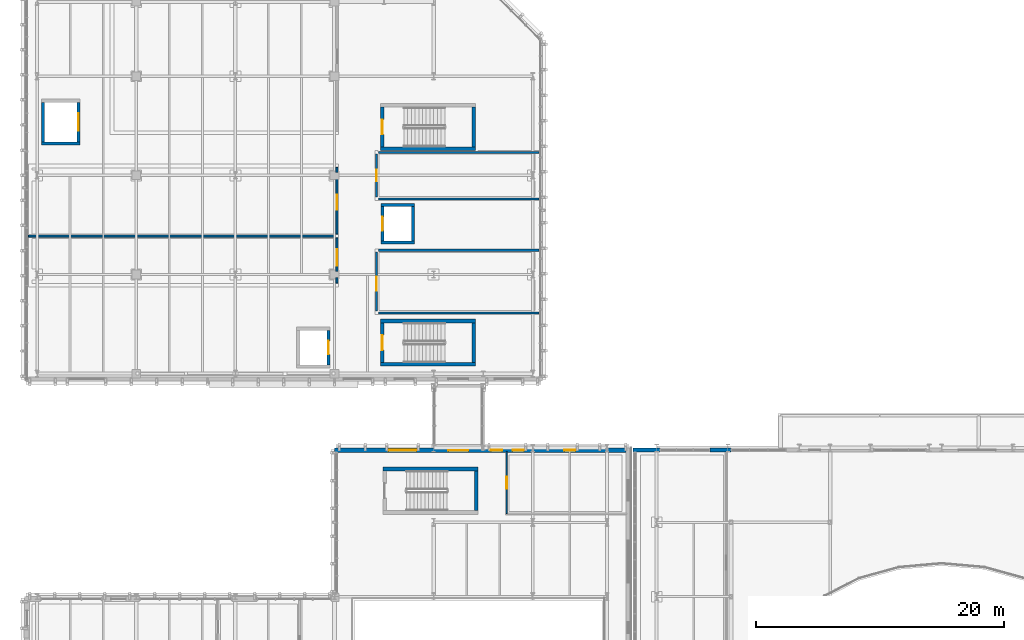
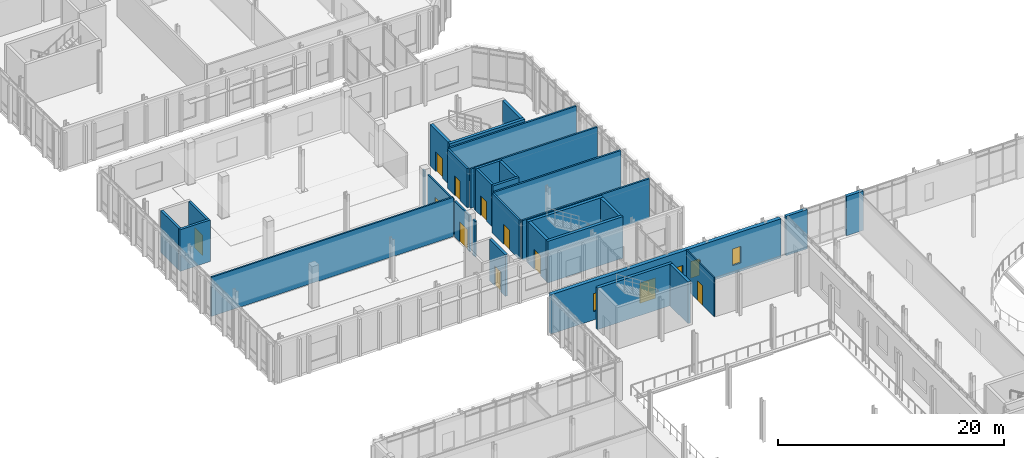
# One storey, part 67 of 100: 32 walls, 11 doors, 4 windows, 15 openings.
"""IFC4 building model written with IfcOpenShell, lengths in metres."""

from ifc_helpers import new_model, si_unit, direction, frame, frame_2d, origin, place, context, subcontext, project, spatial, rectangle, extrude, material, layer, layer_set, type_object, element, fill, save


model = new_model("IFC4")

# Units and contexts
model_context = context("Model", 3, precision=1e-05, world=origin(), true_north=direction((0.0, 1.0)))
body_context = subcontext(model_context, "Body", "Model", "MODEL_VIEW")
ifc_project = project(units=[si_unit("LENGTHUNIT", "METRE"), si_unit("AREAUNIT", "SQUARE_METRE"), si_unit("VOLUMEUNIT", "CUBIC_METRE"), si_unit("PLANEANGLEUNIT", "RADIAN"), si_unit("MASSUNIT", "GRAM", prefix="KILO")], contexts=[model_context])

# Site, building, storey
site_placement = place(None, origin())
site = spatial("IfcSite", under=ifc_project, at=site_placement, CompositionType="ELEMENT")
building_placement = place(site_placement, origin())
building = spatial("IfcBuilding", under=site, at=building_placement, Name="Cymarion Research Institute", CompositionType="ELEMENT")
storey_placement = place(building_placement, frame((0.0, 0.0, 4.800048828125)))
storey = spatial("IfcBuildingStorey", under=building, at=storey_placement, Name="L01", CompositionType="ELEMENT", Elevation=4.800048828125)

# Wall, openings, door, windows
ifc_material_1 = material(Name="Precast concrete C40/50", Category="concrete")
ifc_layer_1 = layer(ifc_material_1, 0.3798828125)
ifc_layer_set_1 = layer_set([ifc_layer_1], Name="Precast concrete C40/50")
wall_type_1 = type_object("IfcWallType", Name="EXTERIOR WALL EW-PC380 380MM", PredefinedType="SOLIDWALL", material=ifc_layer_set_1)
wall_1_placement = place(storey_placement, frame((54.137939453125, 41.31005859375, 0.0), z_axis=(0.0, 0.0, 1.0), x_axis=(-1.0, 0.0, 0.0)))
wall_1 = element("IfcWall", 1, at=wall_1_placement, inside=storey, type_object=wall_type_1, Name="L01 V3 exterior wall EW-PC380 #104", PredefinedType="SOLIDWALL", context=body_context, shape_type="SweptSolid", body=[
    extrude(rectangle(XDim=23.537841796875, YDim=0.3798828125, at=frame_2d((11.76904296875, 0.0))), origin(), (0.0, 0.0, 1.0), 4.25),
])
opening_1_placement = place(wall_1_placement, frame((12.738037109375, 0.0, 0.0)))
opening_1 = element("IfcOpeningElement", 2, at=opening_1_placement, cuts=wall_1, Name="Opening D-SP1-L01-S", PredefinedType="OPENING", context=body_context, shape_type="SweptSolid", body=[
    extrude(rectangle(XDim=1.60009765625, YDim=2.199951171875, at=frame_2d((0.800048828125, 1.10009765625))), frame((0.0, 0.199951171875, 0.0), z_axis=(0.0, -1.0, 0.0), x_axis=(1.0, 0.0, 0.0)), (0.0, 0.0, 1.0), 0.39990234375),
])
opening_2_placement = place(wall_1_placement, frame((4.087890625, 0.0, 0.89990234375)))
opening_2 = element("IfcOpeningElement", 3, at=opening_2_placement, cuts=wall_1, Name="Opening W24", PredefinedType="OPENING", context=body_context, shape_type="SweptSolid", body=[
    extrude(rectangle(XDim=0.89990234375, YDim=1.800048828125, at=frame_2d((0.449951171875, 0.89990234375))), frame((0.0, 0.199951171875, 0.0), z_axis=(0.0, -1.0, 0.0), x_axis=(1.0, 0.0, 0.0)), (0.0, 0.0, 1.0), 0.39990234375),
])
opening_3_placement = place(wall_1_placement, frame((8.258056640625, 0.0, 0.89990234375)))
opening_3 = element("IfcOpeningElement", 4, at=opening_3_placement, cuts=wall_1, Name="Opening W24", PredefinedType="OPENING", context=body_context, shape_type="SweptSolid", body=[
    extrude(rectangle(XDim=0.89990234375, YDim=1.800048828125, at=frame_2d((0.449951171875, 0.89990234375))), frame((0.0, 0.199951171875, 0.0), z_axis=(0.0, -1.0, 0.0), x_axis=(1.0, 0.0, 0.0)), (0.0, 0.0, 1.0), 0.39990234375),
])
opening_4_placement = place(wall_1_placement, frame((10.01806640625, 0.0, 0.89990234375)))
opening_4 = element("IfcOpeningElement", 5, at=opening_4_placement, cuts=wall_1, Name="Opening W24", PredefinedType="OPENING", context=body_context, shape_type="SweptSolid", body=[
    extrude(rectangle(XDim=0.89990234375, YDim=1.800048828125, at=frame_2d((0.449951171875, 0.89990234375))), frame((0.0, 0.199951171875, 0.0), z_axis=(0.0, -1.0, 0.0), x_axis=(1.0, 0.0, 0.0)), (0.0, 0.0, 1.0), 0.39990234375),
])
opening_5_placement = place(wall_1_placement, frame((16.93310546875, 0.0, 0.89990234375)))
opening_5 = element("IfcOpeningElement", 6, at=opening_5_placement, cuts=wall_1, Name="Opening W30", PredefinedType="OPENING", context=body_context, shape_type="SweptSolid", body=[
    extrude(rectangle(XDim=2.25, YDim=1.949951171875, at=frame_2d((1.125, 0.97509765625))), frame((0.0, 0.199951171875, 0.0), z_axis=(0.0, -1.0, 0.0), x_axis=(1.0, 0.0, 0.0)), (0.0, 0.0, 1.0), 0.39990234375),
])
ifc_material_2 = material(Name="Thermally broken anodised aluminium glazed door", Category="aluminium")
door_type_1 = type_object("IfcDoorType", Name="GLAZED ALUMINIUM TERRACE ACCESS DOOR DT-TR160 1600X2200", OperationType="NOTDEFINED", PredefinedType="DOOR", material=ifc_material_2)
door_1_placement = place(opening_1_placement, frame((1.60009765625, 0.0, 0.0), z_axis=(0.0, 0.0, 1.0), x_axis=(-1.0, 0.0, 0.0)))
door_1 = element("IfcDoor", 7, at=door_1_placement, inside=storey, type_object=door_type_1, Name="L01 V3 Sky-Passage Portal Door D-SP1-L01-S", OperationType="SINGLE_SWING_RIGHT", OverallHeight=2.199951171875, OverallWidth=1.60009765625, PredefinedType="DOOR", context=body_context, shape_type="SweptSolid", body=[
    extrude(rectangle(XDim=1.60009765625, YDim=2.199951171875, at=frame_2d((0.800048828125, 1.10009765625))), frame((0.0, 0.02490234375, 0.0), z_axis=(0.0, -1.0, 0.0), x_axis=(1.0, 0.0, 0.0)), (0.0, 0.0, 1.0), 0.050048828125),
])
fill(opening_1, door_1)
ifc_material_3 = material(Name="Thermally broken aluminium window with Low-E glazing", Category="aluminium")
window_type_1 = type_object("IfcWindowType", Name="THERMALLY BROKEN ALUMINIUM WINDOW W24 900X1800", PartitioningType="SINGLE_PANEL", PredefinedType="WINDOW", material=ifc_material_3)
window_1_placement = place(opening_2_placement, origin())
window_1 = element("IfcWindow", 8, at=window_1_placement, inside=storey, type_object=window_type_1, Name="L01 V3 facade window W24 #190", OverallHeight=1.800048828125, OverallWidth=0.89990234375, PartitioningType="SINGLE_PANEL", PredefinedType="WINDOW", context=body_context, shape_type="SweptSolid", body=[
    extrude(rectangle(XDim=0.89990234375, YDim=1.800048828125, at=frame_2d((0.449951171875, 0.89990234375))), frame((0.0, 0.030029296875, 0.0), z_axis=(0.0, -1.0, 0.0), x_axis=(1.0, 0.0, 0.0)), (0.0, 0.0, 1.0), 0.06005859375),
])
fill(opening_2, window_1)
window_2_placement = place(opening_3_placement, origin())
window_2 = element("IfcWindow", 9, at=window_2_placement, inside=storey, type_object=window_type_1, Name="L01 V3 facade window W24 #191", OverallHeight=1.800048828125, OverallWidth=0.89990234375, PartitioningType="SINGLE_PANEL", PredefinedType="WINDOW", context=body_context, shape_type="SweptSolid", body=[
    extrude(rectangle(XDim=0.89990234375, YDim=1.800048828125, at=frame_2d((0.449951171875, 0.89990234375))), frame((0.0, 0.030029296875, 0.0), z_axis=(0.0, -1.0, 0.0), x_axis=(1.0, 0.0, 0.0)), (0.0, 0.0, 1.0), 0.06005859375),
])
fill(opening_3, window_2)
window_3_placement = place(opening_4_placement, origin())
window_3 = element("IfcWindow", 10, at=window_3_placement, inside=storey, type_object=window_type_1, Name="L01 V3 facade window W24 #192", OverallHeight=1.800048828125, OverallWidth=0.89990234375, PartitioningType="SINGLE_PANEL", PredefinedType="WINDOW", context=body_context, shape_type="SweptSolid", body=[
    extrude(rectangle(XDim=0.89990234375, YDim=1.800048828125, at=frame_2d((0.449951171875, 0.89990234375))), frame((0.0, 0.030029296875, 0.0), z_axis=(0.0, -1.0, 0.0), x_axis=(1.0, 0.0, 0.0)), (0.0, 0.0, 1.0), 0.06005859375),
])
fill(opening_4, window_3)
window_type_2 = type_object("IfcWindowType", Name="THERMALLY BROKEN ALUMINIUM WINDOW W30 2250X1950", PartitioningType="DOUBLE_PANEL_VERTICAL", PredefinedType="WINDOW", material=ifc_material_3)
window_4_placement = place(opening_5_placement, origin())
window_4 = element("IfcWindow", 11, at=window_4_placement, inside=storey, type_object=window_type_2, Name="L01 V3 facade window W30 #193", OverallHeight=1.949951171875, OverallWidth=2.25, PartitioningType="SINGLE_PANEL", PredefinedType="WINDOW", context=body_context, shape_type="SweptSolid", body=[
    extrude(rectangle(XDim=2.25, YDim=1.949951171875, at=frame_2d((1.125, 0.97509765625))), frame((0.0, 0.030029296875, 0.0), z_axis=(0.0, -1.0, 0.0), x_axis=(1.0, 0.0, 0.0)), (0.0, 0.0, 1.0), 0.06005859375),
])
fill(opening_5, window_4)

# Walls
ifc_material_4 = material(Name="Concrete C40/50", Category="concrete")
ifc_layer_2 = layer(ifc_material_4, 0.320068359375)
ifc_layer_set_2 = layer_set([ifc_layer_2], Name="Concrete C40/50")
wall_type_2 = type_object("IfcWallType", Name="EXTERIOR WALL EW-RC320 320MM", PredefinedType="SHEAR", material=ifc_layer_set_2)
wall_2_placement = place(storey_placement, frame((62.610107421875, 41.340087890625, 0.0), z_axis=(0.0, 0.0, 1.0), x_axis=(-1.0, 0.0, 0.0)))
element("IfcWall", 12, at=wall_2_placement, inside=storey, type_object=wall_type_2, Name="L01 V2 facade pier wall EW-RC320 #100", PredefinedType="SHEAR", context=body_context, shape_type="SweptSolid", body=[
    extrude(rectangle(XDim=1.722900390625, YDim=0.320068359375, at=frame_2d((0.861328125, 0.0))), origin(), (0.0, 0.0, 1.0), 4.25),
])
wall_3_placement = place(storey_placement, frame((56.860107421875, 41.340087890625, 0.0), z_axis=(0.0, 0.0, 1.0), x_axis=(-1.0, 0.0, 0.0)))
element("IfcWall", 13, at=wall_3_placement, inside=storey, type_object=wall_type_2, Name="L01 V2 facade pier wall EW-RC320 #101", PredefinedType="SHEAR", context=body_context, shape_type="SweptSolid", body=[
    extrude(rectangle(XDim=2.16015625, YDim=0.320068359375, at=frame_2d((1.080078125, 0.0))), origin(), (0.0, 0.0, 1.0), 4.25),
])
ifc_material_5 = material(Name="ISO cleanroom modular flush panel wall", Category="metal")
ifc_layer_3 = layer(ifc_material_5, 0.159912109375)
ifc_layer_set_3 = layer_set([ifc_layer_3], Name="ISO cleanroom modular flush panel wall")
wall_type_3 = type_object("IfcWallType", Name="INTERIOR PARTITION IW-CL160 160MM", PredefinedType="PARTITIONING", material=ifc_layer_set_3)
wall_4_placement = place(storey_placement, frame((5.885009765625, 58.60009765625, 0.0), z_axis=(0.0, 0.0, 1.0), x_axis=(1.0, 0.0, 0.0)))
element("IfcWall", 14, at=wall_4_placement, inside=storey, type_object=wall_type_3, Name="L01 V4 interior partition IW-CL160 #133", PredefinedType="PARTITIONING", context=body_context, shape_type="SweptSolid", body=[
    extrude(rectangle(XDim=24.764892578125, YDim=0.159912109375, at=frame_2d((12.38232421875, 0.0))), origin(), (0.0, 0.0, 1.0), 4.25),
])
wall_5_placement = place(storey_placement, frame((30.800048828125, 54.800048828125, 0.0), z_axis=(0.0, 0.0, 1.0), x_axis=(0.0, 1.0, 0.0)))
element("IfcWall", 15, at=wall_5_placement, inside=storey, type_object=wall_type_3, Name="L01 V4 interior partition IW-CL160 #134", PredefinedType="PARTITIONING", context=body_context, shape_type="SweptSolid", body=[
    extrude(rectangle(XDim=0.449951171875, YDim=0.159912109375, at=frame_2d((0.22509765625, 0.0))), origin(), (0.0, 0.0, 1.0), 3.849853515625),
])

# Wall, opening, door
wall_6_placement = place(storey_placement, frame((30.800048828125, 55.75, 0.0), z_axis=(0.0, 0.0, 1.0), x_axis=(0.0, 1.0, 0.0)))
wall_6 = element("IfcWall", 16, at=wall_6_placement, inside=storey, type_object=wall_type_3, Name="L01 V4 interior partition IW-CL160 #135", PredefinedType="PARTITIONING", context=body_context, shape_type="SweptSolid", body=[
    extrude(rectangle(XDim=2.699951171875, YDim=0.159912109375, at=frame_2d((1.35009765625, 0.0))), origin(), (0.0, 0.0, 1.0), 3.849853515625),
])
opening_6_placement = place(wall_6_placement, frame((0.43798828125, 0.0, 0.0)))
opening_6 = element("IfcOpeningElement", 17, at=opening_6_placement, cuts=wall_6, Name="Opening D-L01-094", PredefinedType="OPENING", context=body_context, shape_type="SweptSolid", body=[
    extrude(rectangle(XDim=1.35009765625, YDim=2.14990234375, at=frame_2d((0.675048828125, 1.074951171875))), frame((0.0, 0.08984375, 0.0), z_axis=(0.0, -1.0, 0.0), x_axis=(1.0, 0.0, 0.0)), (0.0, 0.0, 1.0), 0.179931640625),
])
ifc_material_6 = material(Name="Flush acoustic timber/steel door assembly", Category="steel")
door_type_2 = type_object("IfcDoorType", Name="CLEANROOM GOWNING DOOR DT-CL135 1350X2150", OperationType="NOTDEFINED", PredefinedType="DOOR", material=ifc_material_6)
door_2_placement = place(opening_6_placement, frame((1.35009765625, 0.0, 0.0), z_axis=(0.0, 0.0, 1.0), x_axis=(-1.0, 0.0, 0.0)))
door_2 = element("IfcDoor", 18, at=door_2_placement, inside=storey, type_object=door_type_2, Name="L01 Gowning Airlock door D-L01-094", OperationType="SINGLE_SWING_LEFT", OverallHeight=2.14990234375, OverallWidth=1.35009765625, PredefinedType="DOOR", context=body_context, shape_type="SweptSolid", body=[
    extrude(rectangle(XDim=1.35009765625, YDim=2.14990234375, at=frame_2d((0.675048828125, 1.074951171875))), frame((0.0, 0.02490234375, 0.0), z_axis=(0.0, -1.0, 0.0), x_axis=(1.0, 0.0, 0.0)), (0.0, 0.0, 1.0), 0.050048828125),
])
fill(opening_6, door_2)

wall_7_placement = place(storey_placement, frame((30.800048828125, 58.75, 0.0), z_axis=(0.0, 0.0, 1.0), x_axis=(0.0, 1.0, 0.0)))
wall_7 = element("IfcWall", 19, at=wall_7_placement, inside=storey, type_object=wall_type_3, Name="L01 V4 interior partition IW-CL160 #136", PredefinedType="PARTITIONING", context=body_context, shape_type="SweptSolid", body=[
    extrude(rectangle(XDim=4.5, YDim=0.159912109375, at=frame_2d((2.25, 0.0))), origin(), (0.0, 0.0, 1.0), 3.849853515625),
])
opening_7_placement = place(wall_7_placement, frame((1.97998046875, 0.0, 0.0)))
opening_7 = element("IfcOpeningElement", 20, at=opening_7_placement, cuts=wall_7, Name="Opening D-L01-095", PredefinedType="OPENING", context=body_context, shape_type="SweptSolid", body=[
    extrude(rectangle(XDim=1.199951171875, YDim=2.14990234375, at=frame_2d((0.60009765625, 1.074951171875))), frame((0.0, 0.08984375, 0.0), z_axis=(0.0, -1.0, 0.0), x_axis=(1.0, 0.0, 0.0)), (0.0, 0.0, 1.0), 0.179931640625),
])
door_type_3 = type_object("IfcDoorType", Name="CLEANROOM AIRLOCK INTERLOCK DOOR DT-CL120 1200X2150", OperationType="NOTDEFINED", PredefinedType="DOOR", material=ifc_material_6)
door_3_placement = place(opening_7_placement, origin())
door_3 = element("IfcDoor", 21, at=door_3_placement, inside=storey, type_object=door_type_3, Name="L01 Cleanroom Bay door D-L01-095", OperationType="SINGLE_SWING_RIGHT", OverallHeight=2.14990234375, OverallWidth=1.199951171875, PredefinedType="DOOR", context=body_context, shape_type="SweptSolid", body=[
    extrude(rectangle(XDim=1.199951171875, YDim=2.14990234375, at=frame_2d((0.60009765625, 1.074951171875))), frame((0.0, 0.02490234375, 0.0), z_axis=(0.0, -1.0, 0.0), x_axis=(1.0, 0.0, 0.0)), (0.0, 0.0, 1.0), 0.050048828125),
])
fill(opening_7, door_3)

# Wall
wall_8_placement = place(storey_placement, frame((30.800048828125, 63.75, 0.0), z_axis=(0.0, 0.0, 1.0), x_axis=(0.0, 1.0, 0.0)))
element("IfcWall", 22, at=wall_8_placement, inside=storey, type_object=wall_type_3, Name="L01 V4 interior partition IW-CL160 #137", PredefinedType="PARTITIONING", context=body_context, shape_type="SweptSolid", body=[
    extrude(rectangle(XDim=0.39990234375, YDim=0.159912109375, at=frame_2d((0.199951171875, 0.0))), origin(), (0.0, 0.0, 1.0), 3.849853515625),
])

# Wall, opening, door
ifc_material_7 = material(Name="Framed acoustic glass laboratory screen", Category="glass")
ifc_layer_4 = layer(ifc_material_7, 0.10009765625)
ifc_layer_set_4 = layer_set([ifc_layer_4], Name="Framed acoustic glass laboratory screen")
wall_type_4 = type_object("IfcWallType", Name="INTERIOR PARTITION IW-GL100 100MM", PredefinedType="PARTITIONING", material=ifc_layer_set_4)
wall_9_placement = place(storey_placement, frame((44.5, 36.199951171875, 0.0), z_axis=(0.0, 0.0, 1.0), x_axis=(0.0, 1.0, 0.0)))
wall_9 = element("IfcWall", 23, at=wall_9_placement, inside=storey, type_object=wall_type_4, Name="L01 V3 interior partition IW-GL100 #132", PredefinedType="PARTITIONING", context=body_context, shape_type="SweptSolid", body=[
    extrude(rectangle(XDim=4.9951171875, YDim=0.10009765625, at=frame_2d((2.49755859375, 0.0))), origin(), (0.0, 0.0, 1.0), 4.25),
])
opening_8_placement = place(wall_9_placement, frame((2.02294921875, 0.0, 0.0)))
opening_8 = element("IfcOpeningElement", 24, at=opening_8_placement, cuts=wall_9, Name="Opening D-L01-093", PredefinedType="OPENING", context=body_context, shape_type="SweptSolid", body=[
    extrude(rectangle(XDim=0.949951171875, YDim=2.10009765625, at=frame_2d((0.47509765625, 1.050048828125))), frame((0.0, 0.06005859375, 0.0), z_axis=(0.0, -1.0, 0.0), x_axis=(1.0, 0.0, 0.0)), (0.0, 0.0, 1.0), 0.1201171875),
])
door_type_4 = type_object("IfcDoorType", Name="FACULTY STUDY DOOR DT-OF095 950X2100", OperationType="NOTDEFINED", PredefinedType="DOOR", material=ifc_material_6)
door_4_placement = place(opening_8_placement, origin())
door_4 = element("IfcDoor", 25, at=door_4_placement, inside=storey, type_object=door_type_4, Name="L01 AV Booth door D-L01-093", OperationType="SINGLE_SWING_RIGHT", OverallHeight=2.10009765625, OverallWidth=0.949951171875, PredefinedType="DOOR", context=body_context, shape_type="SweptSolid", body=[
    extrude(rectangle(XDim=0.949951171875, YDim=2.10009765625, at=frame_2d((0.47509765625, 1.050048828125))), frame((0.0, 0.02490234375, 0.0), z_axis=(0.0, -1.0, 0.0), x_axis=(1.0, 0.0, 0.0)), (0.0, 0.0, 1.0), 0.050048828125),
])
fill(opening_8, door_4)

# Walls
ifc_material_8 = material(Name="Moisture-resistant laboratory partition", Category="gypsum")
ifc_layer_5 = layer(ifc_material_8, 0.179931640625)
ifc_layer_set_5 = layer_set([ifc_layer_5], Name="Moisture-resistant laboratory partition")
wall_type_5 = type_object("IfcWallType", Name="INTERIOR PARTITION IW-LB180 180MM", PredefinedType="PARTITIONING", material=ifc_layer_set_5)
for number, where, z_axis, x_axis, name in (
    (26, (34.14990234375, 52.39990234375, 0.0), (0.0, 0.0, 1.0), (1.0, 0.0, 0.0), "L01 V4 interior partition IW-LB180 #140"),
    (27, (34.14990234375, 57.449951171875, 0.0), (0.0, 0.0, 1.0), (1.0, 0.0, 0.0), "L01 V4 interior partition IW-LB180 #141"),
    (28, (34.14990234375, 61.60009765625, 0.0), (0.0, 0.0, 1.0), (1.0, 0.0, 0.0), "L01 V4 interior partition IW-LB180 #142"),
    (29, (34.14990234375, 65.35009765625, 0.0), (0.0, 0.0, 1.0), (1.0, 0.0, 0.0), "L01 V4 interior partition IW-LB180 #143"),
):
    element("IfcWall", number, at=place(storey_placement, frame(where, z_axis=z_axis, x_axis=x_axis)), inside=storey, type_object=wall_type_5, Name=name, PredefinedType="PARTITIONING", context=body_context, shape_type="SweptSolid", body=[
        extrude(rectangle(XDim=12.965087890625, YDim=0.179931640625, at=frame_2d((6.482421875, 0.0))), origin(), (0.0, 0.0, 1.0), 4.25),
    ])

# Wall, opening, door
wall_10_placement = place(storey_placement, frame((34.0, 52.550048828125, 0.0), z_axis=(0.0, 0.0, 1.0), x_axis=(0.0, 1.0, 0.0)))
wall_10 = element("IfcWall", 30, at=wall_10_placement, inside=storey, type_object=wall_type_5, Name="L01 V4 interior partition IW-LB180 #144", PredefinedType="PARTITIONING", context=body_context, shape_type="SweptSolid", body=[
    extrude(rectangle(XDim=4.77001953125, YDim=0.179931640625, at=frame_2d((2.385009765625, 0.0))), origin(), (0.0, 0.0, 1.0), 4.25),
])
opening_9_placement = place(wall_10_placement, frame((1.652099609375, 0.0, 0.0)))
opening_9 = element("IfcOpeningElement", 31, at=opening_9_placement, cuts=wall_10, Name="Opening D-L01-097", PredefinedType="OPENING", context=body_context, shape_type="SweptSolid", body=[
    extrude(rectangle(XDim=1.10009765625, YDim=2.14990234375, at=frame_2d((0.550048828125, 1.074951171875))), frame((0.0, 0.099853515625, 0.0), z_axis=(0.0, -1.0, 0.0), x_axis=(1.0, 0.0, 0.0)), (0.0, 0.0, 1.0), 0.199951171875),
])
door_type_5 = type_object("IfcDoorType", Name="LABORATORY WIDE SINGLE DOOR DT-LB110 1100X2150", OperationType="NOTDEFINED", PredefinedType="DOOR", material=ifc_material_6)
door_5_placement = place(opening_9_placement, origin())
door_5 = element("IfcDoor", 32, at=door_5_placement, inside=storey, type_object=door_type_5, Name="L01 East Lab Entry door D-L01-097", OperationType="SINGLE_SWING_RIGHT", OverallHeight=2.14990234375, OverallWidth=1.10009765625, PredefinedType="DOOR", context=body_context, shape_type="SweptSolid", body=[
    extrude(rectangle(XDim=1.10009765625, YDim=2.14990234375, at=frame_2d((0.550048828125, 1.074951171875))), frame((0.0, 0.02490234375, 0.0), z_axis=(0.0, -1.0, 0.0), x_axis=(1.0, 0.0, 0.0)), (0.0, 0.0, 1.0), 0.050048828125),
])
fill(opening_9, door_5)

wall_11_placement = place(storey_placement, frame((34.0, 61.75, 0.0), z_axis=(0.0, 0.0, 1.0), x_axis=(0.0, 1.0, 0.0)))
wall_11 = element("IfcWall", 33, at=wall_11_placement, inside=storey, type_object=wall_type_5, Name="L01 V4 interior partition IW-LB180 #145", PredefinedType="PARTITIONING", context=body_context, shape_type="SweptSolid", body=[
    extrude(rectangle(XDim=3.469970703125, YDim=0.179931640625, at=frame_2d((1.73486328125, 0.0))), origin(), (0.0, 0.0, 1.0), 4.25),
])
opening_10_placement = place(wall_11_placement, frame((1.284912109375, 0.0, 0.0)))
opening_10 = element("IfcOpeningElement", 34, at=opening_10_placement, cuts=wall_11, Name="Opening D-L01-098", PredefinedType="OPENING", context=body_context, shape_type="SweptSolid", body=[
    extrude(rectangle(XDim=0.89990234375, YDim=2.10009765625, at=frame_2d((0.449951171875, 1.050048828125))), frame((0.0, 0.099853515625, 0.0), z_axis=(0.0, -1.0, 0.0), x_axis=(1.0, 0.0, 0.0)), (0.0, 0.0, 1.0), 0.199951171875),
])
door_type_6 = type_object("IfcDoorType", Name="ACCESSIBLE RESTROOM DOOR DT-WC090 900X2100", OperationType="NOTDEFINED", PredefinedType="DOOR", material=ifc_material_6)
door_6_placement = place(opening_10_placement, origin())
door_6 = element("IfcDoor", 35, at=door_6_placement, inside=storey, type_object=door_type_6, Name="L01 East WC Entry door D-L01-098", OperationType="SINGLE_SWING_LEFT", OverallHeight=2.10009765625, OverallWidth=0.89990234375, PredefinedType="DOOR", context=body_context, shape_type="SweptSolid", body=[
    extrude(rectangle(XDim=0.89990234375, YDim=2.10009765625, at=frame_2d((0.449951171875, 1.050048828125))), frame((0.0, 0.02490234375, 0.0), z_axis=(0.0, -1.0, 0.0), x_axis=(1.0, 0.0, 0.0)), (0.0, 0.0, 1.0), 0.050048828125),
])
fill(opening_10, door_6)

ifc_layer_6 = layer(ifc_material_4, 0.25)
ifc_layer_set_6 = layer_set([ifc_layer_6], Name="Concrete C40/50")
wall_type_6 = type_object("IfcWallType", Name="REINFORCED CONCRETE CORE WALL CW-SH250 250MM", PredefinedType="SHEAR", material=ifc_layer_set_6)
wall_12_placement = place(storey_placement, frame((30.125, 48.199951171875, 0.0), z_axis=(0.0, 0.0, 1.0), x_axis=(0.0, 1.0, 0.0)))
wall_12 = element("IfcWall", 36, at=wall_12_placement, inside=storey, type_object=wall_type_6, Name="L01 LSH-LP1-L01 east core wall", PredefinedType="SHEAR", context=body_context, shape_type="SweptSolid", body=[
    extrude(rectangle(XDim=2.800048828125, YDim=0.25, at=frame_2d((1.39990234375, 0.0))), origin(), (0.0, 0.0, 1.0), 4.5),
])
opening_11_placement = place(wall_12_placement, frame((0.85009765625, 0.0, 0.0)))
opening_11 = element("IfcOpeningElement", 37, at=opening_11_placement, cuts=wall_12, Name="Opening LD-LP1-L01", PredefinedType="OPENING", context=body_context, shape_type="SweptSolid", body=[
    extrude(rectangle(XDim=1.10009765625, YDim=2.14990234375, at=frame_2d((0.550048828125, 1.074951171875))), frame((0.0, 0.135009765625, 0.0), z_axis=(0.0, -1.0, 0.0), x_axis=(1.0, 0.0, 0.0)), (0.0, 0.0, 1.0), 0.27001953125),
])
ifc_material_9 = material(Name="Fire-rated insulated steel door assembly", Category="steel")
door_type_7 = type_object("IfcDoorType", Name="SLIDING LIFT LANDING DOOR DT-LD110 1100X2150", OperationType="DOUBLE_DOOR_SLIDING", PredefinedType="DOOR", material=ifc_material_9)
door_7_placement = place(opening_11_placement, origin())
door_7 = element("IfcDoor", 38, at=door_7_placement, inside=storey, type_object=door_type_7, Name="Lift LP1 landing door L01", OperationType="DOUBLE_DOOR_SLIDING", OverallHeight=2.14990234375, OverallWidth=1.10009765625, PredefinedType="DOOR", context=body_context, shape_type="SweptSolid", body=[
    extrude(rectangle(XDim=1.10009765625, YDim=2.14990234375, at=frame_2d((0.550048828125, 1.074951171875))), frame((0.0, 0.02490234375, 0.0), z_axis=(0.0, -1.0, 0.0), x_axis=(1.0, 0.0, 0.0)), (0.0, 0.0, 1.0), 0.050048828125),
])
fill(opening_11, door_7)

# Walls
for number, where, z_axis, x_axis, name in (
    (39, (34.35009765625, 58.074951171875, 0.0), (0.0, 0.0, 1.0), (1.0, 0.0, 0.0), "L01 LSH-LP4-L01 south core wall"),
    (40, (37.050048828125, 61.125, 0.0), (0.0, 0.0, 1.0), (-1.0, 0.0, 0.0), "L01 LSH-LP4-L01 north core wall"),
):
    element("IfcWall", number, at=place(storey_placement, frame(where, z_axis=z_axis, x_axis=x_axis)), inside=storey, type_object=wall_type_6, Name=name, PredefinedType="SHEAR", context=body_context, shape_type="SweptSolid", body=[
        extrude(rectangle(XDim=2.699951171875, YDim=0.25, at=frame_2d((1.35009765625, 0.0))), origin(), (0.0, 0.0, 1.0), 4.5),
    ])

# Wall, opening, door
wall_13_placement = place(storey_placement, frame((34.47509765625, 61.0, 0.0), z_axis=(0.0, 0.0, 1.0), x_axis=(0.0, -1.0, 0.0)))
wall_13 = element("IfcWall", 41, at=wall_13_placement, inside=storey, type_object=wall_type_6, Name="L01 LSH-LP4-L01 west core wall", PredefinedType="SHEAR", context=body_context, shape_type="SweptSolid", body=[
    extrude(rectangle(XDim=2.800048828125, YDim=0.25, at=frame_2d((1.39990234375, 0.0))), origin(), (0.0, 0.0, 1.0), 4.5),
])
opening_12_placement = place(wall_13_placement, frame((0.85009765625, 0.0, 0.0)))
opening_12 = element("IfcOpeningElement", 42, at=opening_12_placement, cuts=wall_13, Name="Opening LD-LP4-L01", PredefinedType="OPENING", context=body_context, shape_type="SweptSolid", body=[
    extrude(rectangle(XDim=1.10009765625, YDim=2.14990234375, at=frame_2d((0.550048828125, 1.074951171875))), frame((0.0, 0.135009765625, 0.0), z_axis=(0.0, -1.0, 0.0), x_axis=(1.0, 0.0, 0.0)), (0.0, 0.0, 1.0), 0.27001953125),
])
door_8_placement = place(opening_12_placement, origin())
door_8 = element("IfcDoor", 43, at=door_8_placement, inside=storey, type_object=door_type_7, Name="Lift LP4 landing door L01", OperationType="DOUBLE_DOOR_SLIDING", OverallHeight=2.14990234375, OverallWidth=1.10009765625, PredefinedType="DOOR", context=body_context, shape_type="SweptSolid", body=[
    extrude(rectangle(XDim=1.10009765625, YDim=2.14990234375, at=frame_2d((0.550048828125, 1.074951171875))), frame((0.0, 0.02490234375, 0.0), z_axis=(0.0, -1.0, 0.0), x_axis=(1.0, 0.0, 0.0)), (0.0, 0.0, 1.0), 0.050048828125),
])
fill(opening_12, door_8)

# Walls
wall_14_placement = place(storey_placement, frame((36.925048828125, 58.199951171875, 0.0), z_axis=(0.0, 0.0, 1.0), x_axis=(0.0, 1.0, 0.0)))
element("IfcWall", 44, at=wall_14_placement, inside=storey, type_object=wall_type_6, Name="L01 LSH-LP4-L01 east core wall", PredefinedType="SHEAR", context=body_context, shape_type="SweptSolid", body=[
    extrude(rectangle(XDim=2.800048828125, YDim=0.25, at=frame_2d((1.39990234375, 0.0))), origin(), (0.0, 0.0, 1.0), 4.5),
])
wall_15_placement = place(storey_placement, frame((6.949951171875, 66.074951171875, 0.0), z_axis=(0.0, 0.0, 1.0), x_axis=(1.0, 0.0, 0.0)))
element("IfcWall", 45, at=wall_15_placement, inside=storey, type_object=wall_type_6, Name="L01 LSH-LG1-L01 south core wall", PredefinedType="SHEAR", context=body_context, shape_type="SweptSolid", body=[
    extrude(rectangle(XDim=3.10009765625, YDim=0.25, at=frame_2d((1.550048828125, 0.0))), origin(), (0.0, 0.0, 1.0), 4.5),
])
wall_16_placement = place(storey_placement, frame((7.074951171875, 69.39990234375, 0.0), z_axis=(0.0, 0.0, 1.0), x_axis=(0.0, -1.0, 0.0)))
element("IfcWall", 46, at=wall_16_placement, inside=storey, type_object=wall_type_6, Name="L01 LSH-LG1-L01 west core wall", PredefinedType="SHEAR", context=body_context, shape_type="SweptSolid", body=[
    extrude(rectangle(XDim=3.199951171875, YDim=0.25, at=frame_2d((1.60009765625, 0.0))), origin(), (0.0, 0.0, 1.0), 4.5),
])

# Wall, opening, door
wall_17_placement = place(storey_placement, frame((9.925048828125, 66.199951171875, 0.0), z_axis=(0.0, 0.0, 1.0), x_axis=(0.0, 1.0, 0.0)))
wall_17 = element("IfcWall", 47, at=wall_17_placement, inside=storey, type_object=wall_type_6, Name="L01 LSH-LG1-L01 east core wall", PredefinedType="SHEAR", context=body_context, shape_type="SweptSolid", body=[
    extrude(rectangle(XDim=3.199951171875, YDim=0.25, at=frame_2d((1.60009765625, 0.0))), origin(), (0.0, 0.0, 1.0), 4.5),
])
opening_13_placement = place(wall_17_placement, frame((0.89990234375, 0.0, 0.0)))
opening_13 = element("IfcOpeningElement", 48, at=opening_13_placement, cuts=wall_17, Name="Opening LD-LG1-L01", PredefinedType="OPENING", context=body_context, shape_type="SweptSolid", body=[
    extrude(rectangle(XDim=1.39990234375, YDim=2.199951171875, at=frame_2d((0.699951171875, 1.10009765625))), frame((0.0, 0.135009765625, 0.0), z_axis=(0.0, -1.0, 0.0), x_axis=(1.0, 0.0, 0.0)), (0.0, 0.0, 1.0), 0.27001953125),
])
door_type_8 = type_object("IfcDoorType", Name="GOODS LIFT SLIDING LANDING DOOR DT-LD140 1400X2200", OperationType="DOUBLE_DOOR_SLIDING", PredefinedType="DOOR", material=ifc_material_9)
door_9_placement = place(opening_13_placement, origin())
door_9 = element("IfcDoor", 49, at=door_9_placement, inside=storey, type_object=door_type_8, Name="Lift LG1 landing door L01", OperationType="DOUBLE_DOOR_SLIDING", OverallHeight=2.199951171875, OverallWidth=1.39990234375, PredefinedType="DOOR", context=body_context, shape_type="SweptSolid", body=[
    extrude(rectangle(XDim=1.39990234375, YDim=2.199951171875, at=frame_2d((0.699951171875, 1.10009765625))), frame((0.0, 0.02490234375, 0.0), z_axis=(0.0, -1.0, 0.0), x_axis=(1.0, 0.0, 0.0)), (0.0, 0.0, 1.0), 0.050048828125),
])
fill(opening_13, door_9)

# Walls
ifc_layer_7 = layer(ifc_material_4, 0.300048828125)
ifc_layer_set_7 = layer_set([ifc_layer_7], Name="Concrete C40/50")
wall_type_7 = type_object("IfcWallType", Name="REINFORCED CONCRETE CORE WALL CW-SH300 300MM", PredefinedType="SHEAR", material=ifc_layer_set_7)
wall_18_placement = place(storey_placement, frame((42.199951171875, 39.800048828125, 0.0), z_axis=(0.0, 0.0, 1.0), x_axis=(-1.0, 0.0, 0.0)))
element("IfcWall", 50, at=wall_18_placement, inside=storey, type_object=wall_type_7, Name="L01 SHW-C6-L01 north core wall", PredefinedType="SHEAR", context=body_context, shape_type="SweptSolid", body=[
    extrude(rectangle(XDim=7.699951171875, YDim=0.300048828125, at=frame_2d((3.85009765625, 0.0))), origin(), (0.0, 0.0, 1.0), 4.5),
])
wall_19_placement = place(storey_placement, frame((42.050048828125, 36.449951171875, 0.0), z_axis=(0.0, 0.0, 1.0), x_axis=(0.0, 1.0, 0.0)))
element("IfcWall", 51, at=wall_19_placement, inside=storey, type_object=wall_type_7, Name="L01 SHW-C6-L01 east core wall", PredefinedType="SHEAR", context=body_context, shape_type="SweptSolid", body=[
    extrude(rectangle(XDim=3.199951171875, YDim=0.300048828125, at=frame_2d((1.60009765625, 0.0))), origin(), (0.0, 0.0, 1.0), 4.5),
])
for number, where, z_axis, x_axis, name in (
    (52, (34.300048828125, 48.25, 0.0), (0.0, 0.0, 1.0), (1.0, 0.0, 0.0), "L01 SHW-C7-L01 south core wall"),
    (53, (42.0, 51.75, 0.0), (0.0, 0.0, 1.0), (-1.0, 0.0, 0.0), "L01 SHW-C7-L01 north core wall"),
):
    element("IfcWall", number, at=place(storey_placement, frame(where, z_axis=z_axis, x_axis=x_axis)), inside=storey, type_object=wall_type_7, Name=name, PredefinedType="SHEAR", context=body_context, shape_type="SweptSolid", body=[
        extrude(rectangle(XDim=7.699951171875, YDim=0.300048828125, at=frame_2d((3.85009765625, 0.0))), origin(), (0.0, 0.0, 1.0), 4.5),
    ])

# Wall, opening, door
wall_20_placement = place(storey_placement, frame((34.449951171875, 51.60009765625, 0.0), z_axis=(0.0, 0.0, 1.0), x_axis=(0.0, -1.0, 0.0)))
wall_20 = element("IfcWall", 54, at=wall_20_placement, inside=storey, type_object=wall_type_7, Name="L01 SHW-C7-L01 west core wall", PredefinedType="SHEAR", context=body_context, shape_type="SweptSolid", body=[
    extrude(rectangle(XDim=3.2001953125, YDim=0.300048828125, at=frame_2d((1.60009765625, 0.0))), origin(), (0.0, 0.0, 1.0), 4.5),
])
opening_14_placement = place(wall_20_placement, frame((1.0, 0.0, 0.0)))
opening_14 = element("IfcOpeningElement", 55, at=opening_14_placement, cuts=wall_20, Name="Opening FD-L01-ST7", PredefinedType="OPENING", context=body_context, shape_type="SweptSolid", body=[
    extrude(rectangle(XDim=1.199951171875, YDim=2.14990234375, at=frame_2d((0.60009765625, 1.074951171875))), frame((0.0, 0.159912109375, 0.0), z_axis=(0.0, -1.0, 0.0), x_axis=(1.0, 0.0, 0.0)), (0.0, 0.0, 1.0), 0.320068359375),
])
door_type_9 = type_object("IfcDoorType", Name="SMOKE PROOF STAIR FIRE DOOR DT-ST120 1200X2150", OperationType="NOTDEFINED", PredefinedType="DOOR", material=ifc_material_9)
door_10_placement = place(opening_14_placement, origin())
door_10 = element("IfcDoor", 56, at=door_10_placement, inside=storey, type_object=door_type_9, Name="L01 ST7 smoke-proof stair door FD-L01-ST7", OperationType="SINGLE_SWING_LEFT", OverallHeight=2.14990234375, OverallWidth=1.199951171875, PredefinedType="DOOR", context=body_context, shape_type="SweptSolid", body=[
    extrude(rectangle(XDim=1.199951171875, YDim=2.14990234375, at=frame_2d((0.60009765625, 1.074951171875))), frame((0.0, 0.02490234375, 0.0), z_axis=(0.0, -1.0, 0.0), x_axis=(1.0, 0.0, 0.0)), (0.0, 0.0, 1.0), 0.050048828125),
])
fill(opening_14, door_10)

# Walls
wall_21_placement = place(storey_placement, frame((41.85009765625, 48.39990234375, 0.0), z_axis=(0.0, 0.0, 1.0), x_axis=(0.0, 1.0, 0.0)))
element("IfcWall", 57, at=wall_21_placement, inside=storey, type_object=wall_type_7, Name="L01 SHW-C7-L01 east core wall", PredefinedType="SHEAR", context=body_context, shape_type="SweptSolid", body=[
    extrude(rectangle(XDim=3.2001953125, YDim=0.300048828125, at=frame_2d((1.60009765625, 0.0))), origin(), (0.0, 0.0, 1.0), 4.5),
])
wall_22_placement = place(storey_placement, frame((34.300048828125, 65.64990234375, 0.0), z_axis=(0.0, 0.0, 1.0), x_axis=(1.0, 0.0, 0.0)))
element("IfcWall", 58, at=wall_22_placement, inside=storey, type_object=wall_type_7, Name="L01 SHW-C8-L01 south core wall", PredefinedType="SHEAR", context=body_context, shape_type="SweptSolid", body=[
    extrude(rectangle(XDim=7.699951171875, YDim=0.300048828125, at=frame_2d((3.85009765625, 0.0))), origin(), (0.0, 0.0, 1.0), 4.5),
])

# Wall, opening, door
wall_23_placement = place(storey_placement, frame((34.449951171875, 69.0, 0.0), z_axis=(0.0, 0.0, 1.0), x_axis=(0.0, -1.0, 0.0)))
wall_23 = element("IfcWall", 59, at=wall_23_placement, inside=storey, type_object=wall_type_7, Name="L01 SHW-C8-L01 west core wall", PredefinedType="SHEAR", context=body_context, shape_type="SweptSolid", body=[
    extrude(rectangle(XDim=3.199951171875, YDim=0.300048828125, at=frame_2d((1.60009765625, 0.0))), origin(), (0.0, 0.0, 1.0), 4.5),
])
opening_15_placement = place(wall_23_placement, frame((1.0, 0.0, 0.0)))
opening_15 = element("IfcOpeningElement", 60, at=opening_15_placement, cuts=wall_23, Name="Opening FD-L01-ST8", PredefinedType="OPENING", context=body_context, shape_type="SweptSolid", body=[
    extrude(rectangle(XDim=1.199951171875, YDim=2.14990234375, at=frame_2d((0.60009765625, 1.074951171875))), frame((0.0, 0.159912109375, 0.0), z_axis=(0.0, -1.0, 0.0), x_axis=(1.0, 0.0, 0.0)), (0.0, 0.0, 1.0), 0.320068359375),
])
door_11_placement = place(opening_15_placement, origin())
door_11 = element("IfcDoor", 61, at=door_11_placement, inside=storey, type_object=door_type_9, Name="L01 ST8 smoke-proof stair door FD-L01-ST8", OperationType="SINGLE_SWING_RIGHT", OverallHeight=2.14990234375, OverallWidth=1.199951171875, PredefinedType="DOOR", context=body_context, shape_type="SweptSolid", body=[
    extrude(rectangle(XDim=1.199951171875, YDim=2.14990234375, at=frame_2d((0.60009765625, 1.074951171875))), frame((0.0, 0.02490234375, 0.0), z_axis=(0.0, -1.0, 0.0), x_axis=(1.0, 0.0, 0.0)), (0.0, 0.0, 1.0), 0.050048828125),
])
fill(opening_15, door_11)

# Wall
wall_24_placement = place(storey_placement, frame((41.85009765625, 65.800048828125, 0.0), z_axis=(0.0, 0.0, 1.0), x_axis=(0.0, 1.0, 0.0)))
element("IfcWall", 62, at=wall_24_placement, inside=storey, type_object=wall_type_7, Name="L01 SHW-C8-L01 east core wall", PredefinedType="SHEAR", context=body_context, shape_type="SweptSolid", body=[
    extrude(rectangle(XDim=3.199951171875, YDim=0.300048828125, at=frame_2d((1.60009765625, 0.0))), origin(), (0.0, 0.0, 1.0), 4.5),
])

save(model, "model.ifc")
